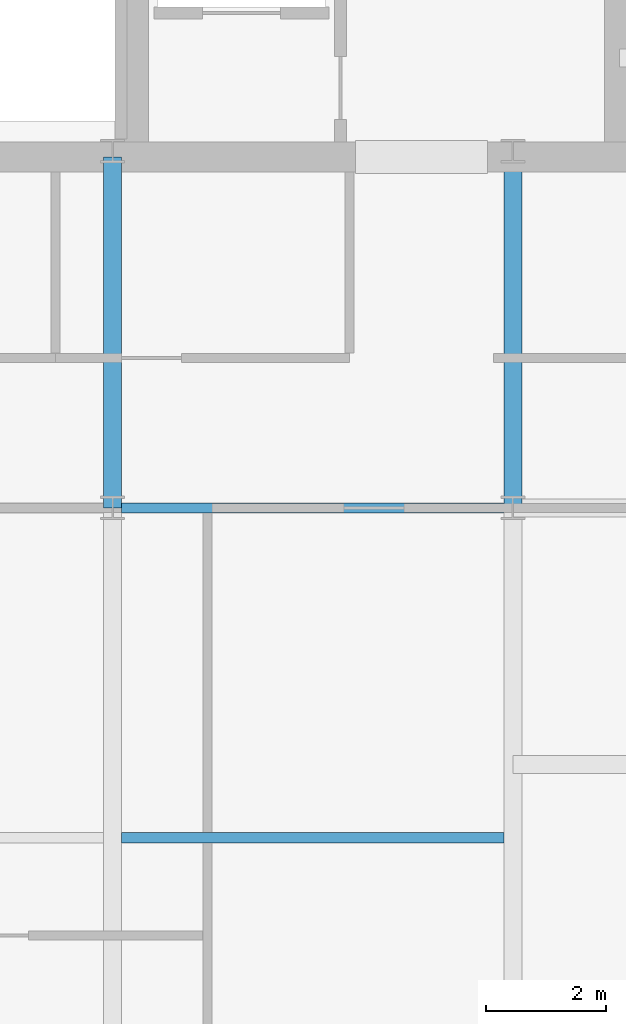
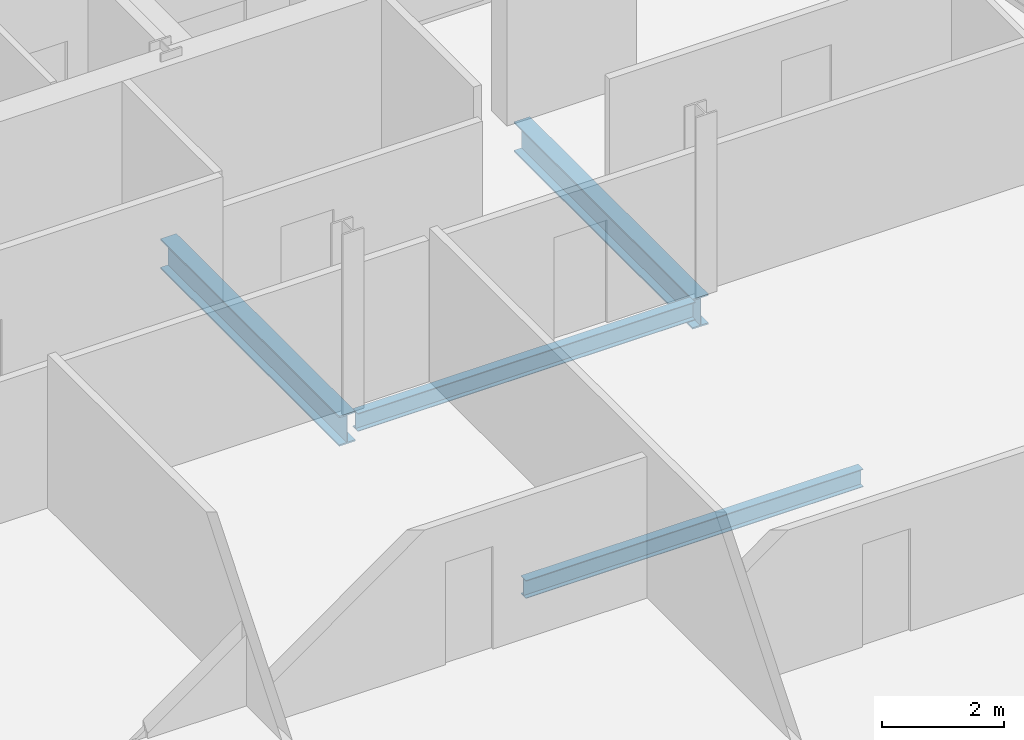
# One storey, part 17 of 29: 4 beams.
"""IFC4 building model written with IfcOpenShell, lengths in metres."""

from ifc_helpers import new_model, si_unit, direction, frame, origin, origin_2d, place, context, subcontext, project, spatial, i_section, extrude, material, material_profile, profile_set, type_object, element, save


model = new_model("IFC4")

# Units and contexts
model_context = context("Model", 3, precision=1e-05, world=origin(), true_north=direction((0.0, 1.0)))
body_context = subcontext(model_context, "Body", "Model", "MODEL_VIEW")
ifc_project = project(units=[si_unit("LENGTHUNIT", "METRE"), si_unit("AREAUNIT", "SQUARE_METRE"), si_unit("VOLUMEUNIT", "CUBIC_METRE"), si_unit("PLANEANGLEUNIT", "RADIAN"), si_unit("MASSUNIT", "GRAM", prefix="KILO")], contexts=[model_context])

# Site, building, storey
site_placement = place(None, origin())
site = spatial("IfcSite", under=ifc_project, at=site_placement, CompositionType="ELEMENT")
building_placement = place(site_placement, origin())
building = spatial("IfcBuilding", under=site, at=building_placement, Name="Khoronbel Lancet Exchange", CompositionType="ELEMENT")
storey_placement = place(building_placement, frame((0.0, 0.0, 321.800048828125)))
storey = spatial("IfcBuildingStorey", under=building, at=storey_placement, Name="L83", CompositionType="ELEMENT", Elevation=321.800048828125)

# Beams
ifc_material = material(Name="Steel S355", Category="steel")
ifc_material_profile_1 = material_profile(ifc_material, i_section(OverallWidth=0.300048828125, OverallDepth=0.60009765625, WebThickness=0.015380859375, FlangeThickness=0.030029296875, at=origin_2d()), Name="HEB 600")
ifc_profile_set_1 = profile_set([ifc_material_profile_1], Name="Steel S355")
beam_type_1 = type_object("IfcBeamType", Name="BM-BG5", PredefinedType="BEAM", material=ifc_profile_set_1)
for number, where, z_axis, x_axis, name in (
    (1, (48.0, 35.699951171875, -0.4599609375), (0.0, 1.0, 0.0), (-1.0, 0.0, 0.0), "Level L83 spine tie girder GN5"),
    (2, (54.675048828125, 35.699951171875, -0.4599609375), (0.0, 1.0, 0.0), (-1.0, 0.0, 0.0), "Level L83 spine tie girder GN6"),
):
    element("IfcBeam", number, at=place(storey_placement, frame(where, z_axis=z_axis, x_axis=x_axis)), inside=storey, type_object=beam_type_1, Name=name, PredefinedType="BEAM", context=body_context, shape_type="SweptSolid", body=[
        extrude(i_section(OverallWidth=0.300048828125, OverallDepth=0.60009765625, WebThickness=0.015380859375, FlangeThickness=0.030029296875, at=origin_2d()), origin(), (0.0, 0.0, 1.0), 5.85009765625),
    ])
ifc_material_profile_2 = material_profile(ifc_material, i_section(OverallWidth=0.169921875, OverallDepth=0.360107421875, WebThickness=0.008056640625, FlangeThickness=0.0126953125, at=origin_2d()), Name="IPE 360")
ifc_profile_set_2 = profile_set([ifc_material_profile_2], Name="Steel S355")
beam_type_2 = type_object("IfcBeamType", Name="BM-BJ6", PredefinedType="JOIST", material=ifc_profile_set_2)
for number, where, z_axis, x_axis, name in (
    (3, (48.14990234375, 30.199951171875, -0.340087890625), (1.0, 0.0, 0.0), (0.0, 1.0, 0.0), "Level L83 secondary composite joist J09"),
    (4, (48.14990234375, 35.699951171875, -0.340087890625), (1.0, 0.0, 0.0), (0.0, 1.0, 0.0), "Level L83 secondary composite joist J12"),
):
    element("IfcBeam", number, at=place(storey_placement, frame(where, z_axis=z_axis, x_axis=x_axis)), inside=storey, type_object=beam_type_2, Name=name, PredefinedType="JOIST", context=body_context, shape_type="SweptSolid", body=[
        extrude(i_section(OverallWidth=0.169921875, OverallDepth=0.360107421875, WebThickness=0.008056640625, FlangeThickness=0.0126953125, at=origin_2d()), origin(), (0.0, 0.0, 1.0), 6.375),
    ])

save(model, "model.ifc")
